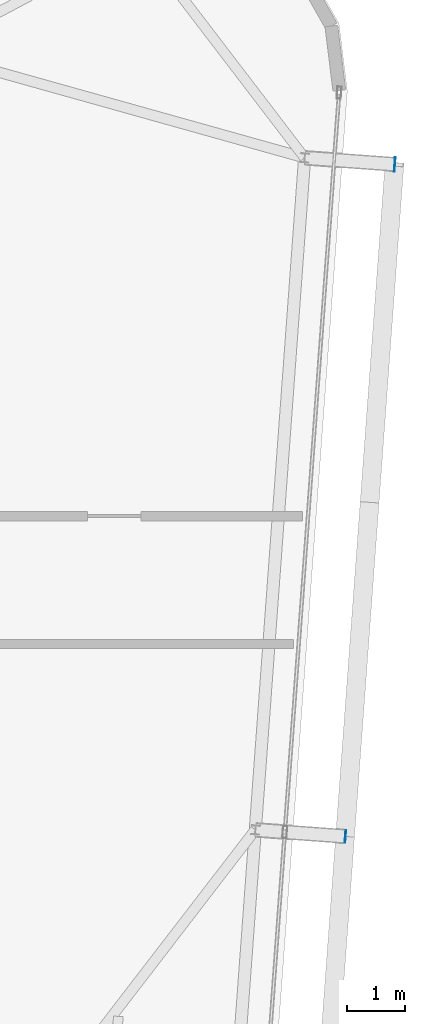
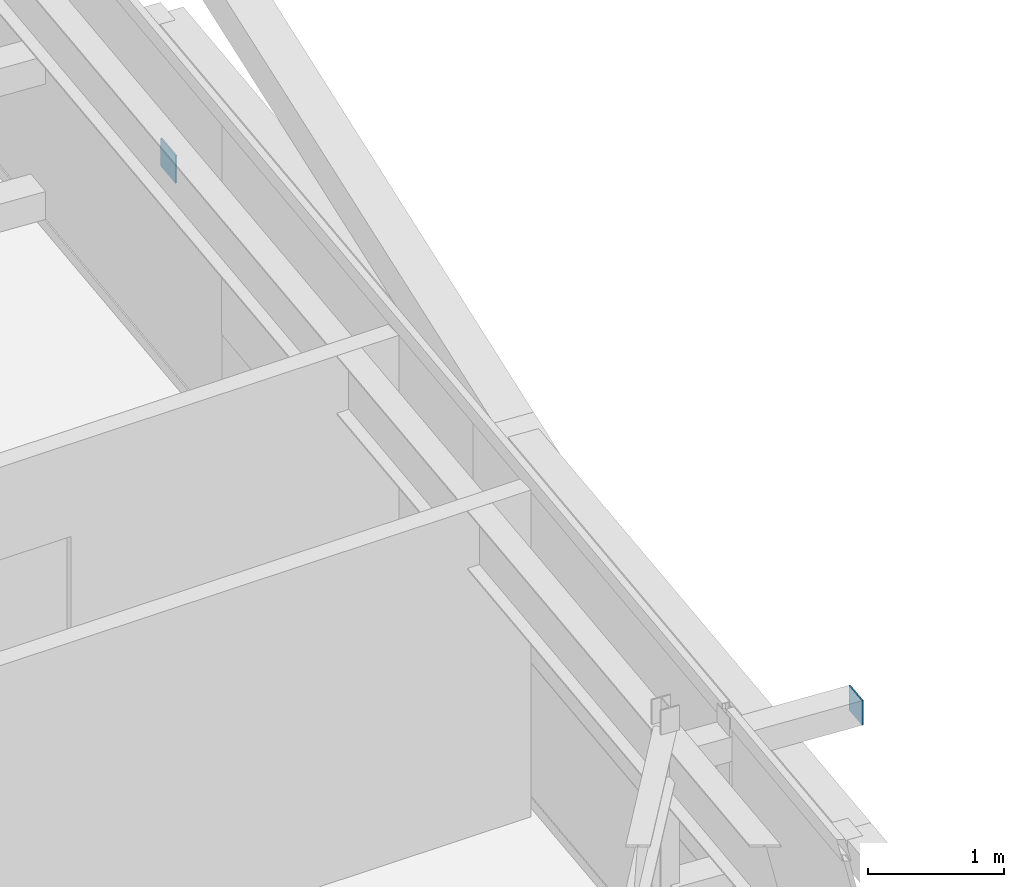
# One storey, part 29 of 36: 2 plates.
"""IFC4 building model written with IfcOpenShell, lengths in metres."""

import ifcopenshell
import ifcopenshell.guid

model = None  # the IFC model being written
_history = None  # IfcOwnerHistory: only IFC2X3 demands one
_inside = {}  # id of a spatial element -> (the spatial element, [elements in it])
_under = {}  # id of a project, library or spatial element -> (it, [spatial elements below it])
_declared = {}  # id of a project -> (the project, [libraries it declares])
_typed = {}  # id of a type object -> (the type object, [elements of that type])
_made_of = {}  # id of a material, layer set ... -> (it, [elements and type objects made of it])


def new_model(schema):
    """Start an empty IFC model of exactly this schema.

    Asked for "IFC4X3", IfcOpenShell would pick the latest addendum, in which some entities
    have other attributes; the version numbers below select the first issue.
    IFC2X3 requires an IfcOwnerHistory on every rooted entity: one is made here for all.
    """
    global model, _history
    if schema == "IFC4X3":
        model = ifcopenshell.file(schema_version=(4, 3, 0, 0))
    else:
        model = ifcopenshell.file(schema=schema)
    _inside.clear()
    _under.clear()
    _declared.clear()
    _typed.clear()
    _made_of.clear()
    _history = None
    if model.schema == "IFC2X3":
        org = make("IfcOrganization", Name="unknown")
        user = make(
            "IfcPersonAndOrganization",
            ThePerson=make("IfcPerson", FamilyName="unknown"),
            TheOrganization=org,
        )
        app = make(
            "IfcApplication",
            ApplicationDeveloper=org,
            Version="unknown",
            ApplicationFullName="unknown",
            ApplicationIdentifier="unknown",
        )
        _history = make(
            "IfcOwnerHistory",
            OwningUser=user,
            OwningApplication=app,
            ChangeAction="ADDED",
            CreationDate=0,
        )
    return model


def make(cls, **values):
    """One entity of the class cls with the attributes given. An attribute that is None is left unset."""
    return model.create_entity(
        cls, **{name: value for name, value in values.items() if value is not None}
    )


def rooted(cls, **values):
    """An entity with a GlobalId (a new one), such as an element, a storey or a relation."""
    return make(cls, GlobalId=ifcopenshell.guid.new(), OwnerHistory=_history, **values)


def si_unit(unit_type, name, prefix=None):
    """IfcSIUnit, for example si_unit("LENGTHUNIT", "METRE", prefix="MILLI")."""
    return make("IfcSIUnit", UnitType=unit_type, Prefix=prefix, Name=name)


def assignment(units):
    """IfcUnitAssignment: the units of a project."""
    return None if units is None else make("IfcUnitAssignment", Units=units)


def point(xyz):
    """IfcCartesianPoint."""
    return None if xyz is None else make("IfcCartesianPoint", Coordinates=xyz)


def direction(xyz):
    """IfcDirection."""
    return None if xyz is None else make("IfcDirection", DirectionRatios=xyz)


def frame(location, z_axis=None, x_axis=None):
    """IfcAxis2Placement3D, a coordinate frame: its origin and axes. An axis left out is left unset."""
    return make(
        "IfcAxis2Placement3D",
        Location=point(location),
        Axis=direction(z_axis),
        RefDirection=direction(x_axis),
    )


def frame_2d(location, x_axis=None):
    """IfcAxis2Placement2D, a coordinate frame in the plane: its origin and x axis."""
    return make(
        "IfcAxis2Placement2D", Location=point(location), RefDirection=direction(x_axis)
    )


def origin():
    """The frame at (0, 0, 0) with its axes left unset."""
    return frame((0.0, 0.0, 0.0))


def origin_2d():
    """The frame at (0, 0) in the plane with its x axis left unset."""
    return frame_2d((0.0, 0.0))


def place(relative_to, where):
    """IfcLocalPlacement: puts the frame where relative to a parent placement (None: the world)."""
    return make(
        "IfcLocalPlacement", PlacementRelTo=relative_to, RelativePlacement=where
    )


def context(
    kind, dimensions, precision=None, world=None, true_north=None, identifier=None
):
    """IfcGeometricRepresentationContext, for example the 3D "Model" context."""
    return make(
        "IfcGeometricRepresentationContext",
        ContextIdentifier=identifier,
        ContextType=kind,
        CoordinateSpaceDimension=dimensions,
        Precision=precision,
        WorldCoordinateSystem=world,
        TrueNorth=true_north,
    )


def subcontext(parent, identifier, kind, view, scale=None):
    """IfcGeometricRepresentationSubContext, for example "Body" below "Model"."""
    return make(
        "IfcGeometricRepresentationSubContext",
        ContextIdentifier=identifier,
        ContextType=kind,
        ParentContext=parent,
        TargetScale=scale,
        TargetView=view,
    )


def project(units=None, contexts=None):
    """IfcProject with its units and contexts."""
    return rooted(
        "IfcProject",
        Name="project",
        RepresentationContexts=contexts,
        UnitsInContext=assignment(units),
    )


def spatial(cls, under=None, at=None, **own):
    """A site, building, storey or space (cls), placed at a placement, below another one or the project."""
    s = rooted(cls, ObjectPlacement=at, **own)
    if under is not None:
        _under.setdefault(under.id(), (under, []))[1].append(s)
    return s


def profile(cls, at=None, kind="AREA", **sizes):
    """A parametric profile (cls). Its sizes go by their IFC names, for example OverallWidth=200.0."""
    return make(cls, ProfileType=kind, Position=at, **sizes)


def rectangle(**sizes):
    """IfcRectangleProfileDef."""
    return profile("IfcRectangleProfileDef", **sizes)


def extrude(swept, where, along, depth):
    """IfcExtrudedAreaSolid: the profile swept, set in the frame where, extruded along a direction by depth."""
    return make(
        "IfcExtrudedAreaSolid",
        SweptArea=swept,
        Position=where,
        ExtrudedDirection=direction(along),
        Depth=depth,
    )


def shape(context_of_items, identifier, shape_type, items):
    """IfcShapeRepresentation: the items that make up one representation, for example the "Body"."""
    return make(
        "IfcShapeRepresentation",
        ContextOfItems=context_of_items,
        RepresentationIdentifier=identifier,
        RepresentationType=shape_type,
        Items=items,
    )


def source(mapping_origin, context_of_items, identifier, shape_type, items):
    """IfcRepresentationMap: a shape defined once, which mapped items show again and again."""
    return make(
        "IfcRepresentationMap",
        MappingOrigin=mapping_origin,
        MappedRepresentation=shape(context_of_items, identifier, shape_type, items),
    )


def transform(
    local_origin,
    x_axis=None,
    y_axis=None,
    z_axis=None,
    scale=None,
    scale2=None,
    scale3=None,
    uniform=True,
):
    """IfcCartesianTransformationOperator3D, or its non-uniform kind. x_axis, y_axis, z_axis: its Axis1, 2, 3."""
    if uniform:
        return make(
            "IfcCartesianTransformationOperator3D",
            Axis1=direction(x_axis),
            Axis2=direction(y_axis),
            LocalOrigin=point(local_origin),
            Scale=scale,
            Axis3=direction(z_axis),
        )
    return make(
        "IfcCartesianTransformationOperator3DnonUniform",
        Axis1=direction(x_axis),
        Axis2=direction(y_axis),
        LocalOrigin=point(local_origin),
        Scale=scale,
        Axis3=direction(z_axis),
        Scale2=scale2,
        Scale3=scale3,
    )


def mapped(mapping_source, mapping_target):
    """IfcMappedItem: shows the shape of a source again, moved by a transform."""
    return make(
        "IfcMappedItem", MappingSource=mapping_source, MappingTarget=mapping_target
    )


def material(Name=None, Category=None):
    """IfcMaterial."""
    return make("IfcMaterial", Name=Name, Category=Category)


def layer(
    of_material, thickness, ventilated=None, Name=None, Category=None, Priority=None
):
    """IfcMaterialLayer: one layer of a wall or slab, of a material (None: an air gap)."""
    return make(
        "IfcMaterialLayer",
        Material=of_material,
        LayerThickness=thickness,
        IsVentilated=ventilated,
        Name=Name,
        Category=Category,
        Priority=Priority,
    )


def layer_set(layers, Name=None):
    """IfcMaterialLayerSet."""
    return make("IfcMaterialLayerSet", MaterialLayers=layers, LayerSetName=Name)


def made_of(thing, what):
    """Note that an element or type object is made of a material, layer set ...; save() writes the relation."""
    if what is not None:
        _made_of.setdefault(what.id(), (what, []))[1].append(thing)
    return thing


def type_object(cls, material=None, **own):
    """A type object (cls), such as IfcWallType, which elements share."""
    return made_of(rooted(cls, **own), material)


def element(
    cls,
    number,
    at=None,
    inside=None,
    cuts=None,
    type_object=None,
    material=None,
    context=None,
    identifier="Body",
    shape_type=None,
    held_by="IfcProductDefinitionShape",
    body=None,
    shapes=None,
    **own,
):
    """One element of the class cls, such as IfcWall. Its Tag is "e" and its number.

    at: its placement. inside: the storey or other place that contains it. cuts: it is an
    opening in that element (IfcRelVoidsElement). A single representation is given by context,
    identifier, shape_type and body (its items); several are given by shapes. held_by: the class
    of the entity that holds the representations. save() writes the other relations.
    """
    e = rooted(cls, Tag="e%d" % number, ObjectPlacement=at, **own)
    if body is not None:
        shapes = [shape(context, identifier, shape_type, body)]
    if shapes is not None:
        e.Representation = make(held_by, Representations=shapes)
    if inside is not None:
        _inside.setdefault(inside.id(), (inside, []))[1].append(e)
    if cuts is not None:
        rooted(
            "IfcRelVoidsElement", RelatingBuildingElement=cuts, RelatedOpeningElement=e
        )
    if type_object is not None:
        _typed.setdefault(type_object.id(), (type_object, []))[1].append(e)
    return made_of(e, material)


def aggregate(whole, parts):
    """IfcRelAggregates: a whole, such as a stair, and the parts it consists of."""
    return rooted("IfcRelAggregates", RelatingObject=whole, RelatedObjects=parts)


def save(model, path):
    """Write the relations noted so far, then the file.

    IfcRelAggregates (storeys below a building ...), IfcRelContainedInSpatialStructure (elements
    in a storey), IfcRelDefinesByType, IfcRelAssociatesMaterial and IfcRelDeclares: one each for
    every whole, place, type object, material and project.
    """
    for whole, parts in _under.values():
        aggregate(whole, parts)
    for where, things in _inside.values():
        rooted(
            "IfcRelContainedInSpatialStructure",
            RelatedElements=things,
            RelatingStructure=where,
        )
    for kind, things in _typed.values():
        rooted("IfcRelDefinesByType", RelatedObjects=things, RelatingType=kind)
    for what, things in _made_of.values():
        rooted("IfcRelAssociatesMaterial", RelatedObjects=things, RelatingMaterial=what)
    for by, libraries in _declared.values():
        rooted("IfcRelDeclares", RelatingContext=by, RelatedDefinitions=libraries)
    model.write(path)


model = new_model("IFC4")

# Units and contexts
model_context = context("Model", 3, precision=1e-05, world=origin(), true_north=direction((0.0, 1.0)))
body_context = subcontext(model_context, "Body", "Model", "MODEL_VIEW")
ifc_project = project(units=[si_unit("LENGTHUNIT", "METRE"), si_unit("AREAUNIT", "SQUARE_METRE"), si_unit("VOLUMEUNIT", "CUBIC_METRE"), si_unit("PLANEANGLEUNIT", "RADIAN"), si_unit("MASSUNIT", "GRAM", prefix="KILO")], contexts=[model_context])

# Site, building, storey
site_placement = place(None, origin())
site = spatial("IfcSite", under=ifc_project, at=site_placement, CompositionType="ELEMENT")
building_placement = place(site_placement, origin())
building = spatial("IfcBuilding", under=site, at=building_placement, Name="Taldren Reach Tower", CompositionType="ELEMENT")
storey_placement = place(building_placement, frame((0.0, 0.0, 227.14990234375)))
storey = spatial("IfcBuildingStorey", under=building, at=storey_placement, Name="L69", CompositionType="ELEMENT", Elevation=227.14990234375)

# Plates
ifc_material_1 = material(Name="Steel Gr 350 (C350L0)", Category="steel")
ifc_layer_1 = layer(ifc_material_1, 0.011962890625)
ifc_layer_set_1 = layer_set([ifc_layer_1], Name="Steel Gr 350 (C350L0)")
plate_type_1 = type_object("IfcPlateType", Name="PL-CAP-250", PredefinedType="SHEET", material=ifc_layer_set_1)
shared_shape_1 = source(origin(), body_context, "Body", "SweptSolid", [
    extrude(rectangle(XDim=0.011962890625, YDim=0.25, at=origin_2d()), origin(), (0.0, 0.0, 1.0), 0.25),
])
plate_1_placement = place(storey_placement, frame((59.0927734375, 30.0546875, 0.09521484375), z_axis=(0.0, 0.0, 1.0), x_axis=(0.997314477224, -0.073238197128, 0.0)))
element("IfcPlate", 1, at=plate_1_placement, inside=storey, type_object=plate_type_1, Name="Tie strut end cap plate B5-E3 L69", PredefinedType="SHEET", context=body_context, shape_type="MappedRepresentation", body=[
    mapped(shared_shape_1, transform((0.0, 0.0, 0.0), scale=1.0)),
])
ifc_material_2 = material(Name="Steel Gr 450 (C450L0)", Category="steel")
ifc_layer_2 = layer(ifc_material_2, 0.011962890625)
ifc_layer_set_2 = layer_set([ifc_layer_2], Name="Steel Gr 450 (C450L0)")
plate_type_2 = type_object("IfcPlateType", Name="PL-CAP-220", PredefinedType="SHEET", material=ifc_layer_set_2)
shared_shape_2 = source(origin(), body_context, "Body", "SweptSolid", [
    extrude(rectangle(XDim=0.011962890625, YDim=0.219970703125, at=origin_2d()), origin(), (0.0, 0.0, 1.0), 0.219970703125),
])
plate_2_placement = place(storey_placement, frame((58.2431640625, 18.48583984375, 2.5400390625), z_axis=(0.0, 0.0, 1.0), x_axis=(0.997314477224, -0.073238197128, 0.0)))
element("IfcPlate", 2, at=plate_2_placement, inside=storey, type_object=plate_type_2, Name="Tie strut end cap plate B5-E2 L69", PredefinedType="SHEET", context=body_context, shape_type="MappedRepresentation", body=[
    mapped(shared_shape_2, transform((0.0, 0.0, 0.0), scale=1.0)),
])

save(model, "model.ifc")
